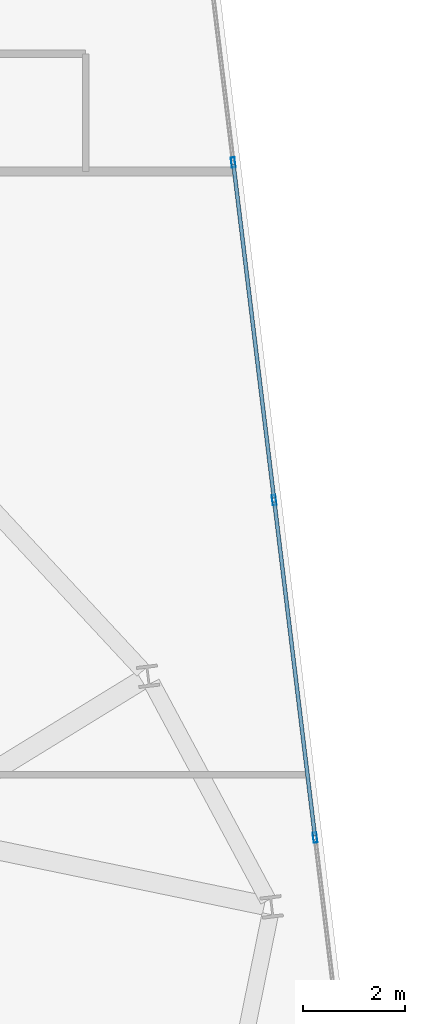
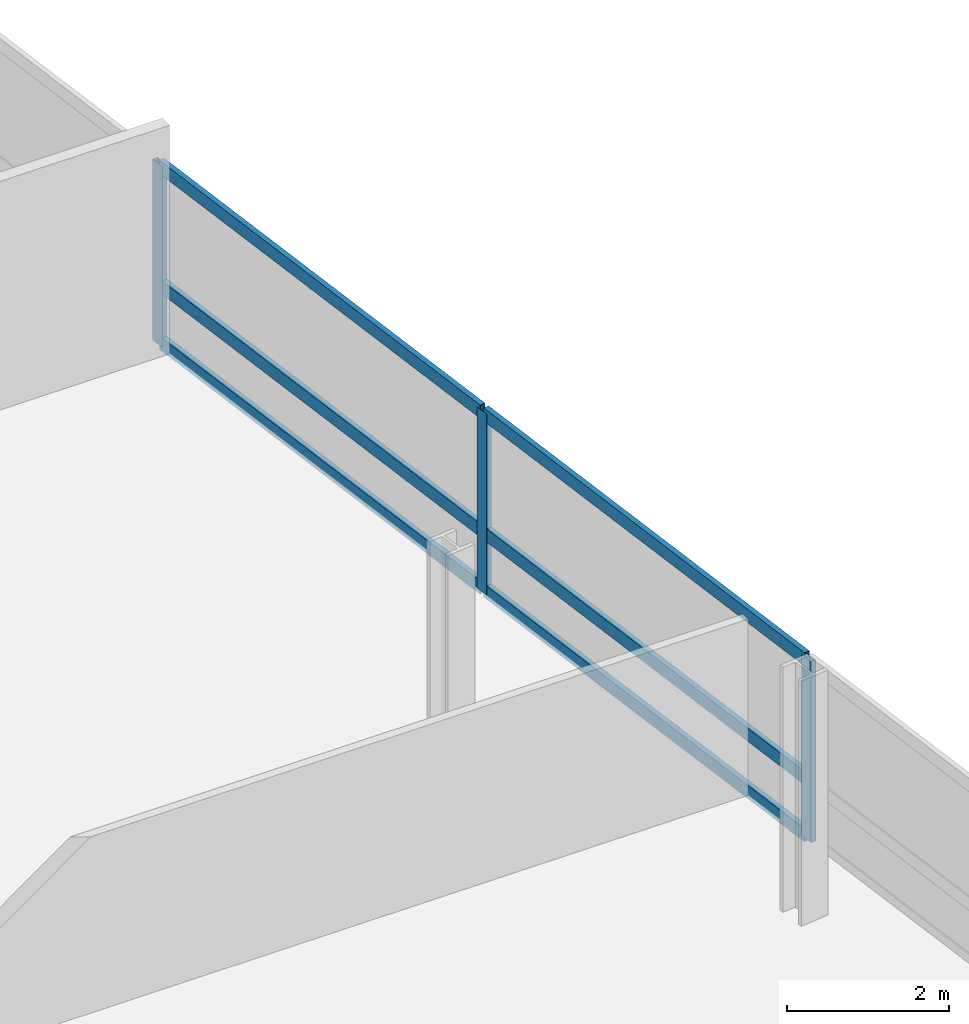
# One storey, part 11 of 23: 9 members, 1 element without a shape of its own.
"""IFC4 building model written with IfcOpenShell, lengths in metres."""

from ifc_helpers import new_model, si_unit, direction, frame, origin, origin_2d, place, context, subcontext, project, spatial, hollow_rectangle, extrude, material, layer, layer_set, material_profile, profile_set, type_object, element, aggregate, save


model = new_model("IFC4")

# Units and contexts
model_context = context("Model", 3, precision=1e-05, world=origin(), true_north=direction((0.0, 1.0)))
body_context = subcontext(model_context, "Body", "Model", "MODEL_VIEW")
ifc_project = project(units=[si_unit("LENGTHUNIT", "METRE"), si_unit("AREAUNIT", "SQUARE_METRE"), si_unit("VOLUMEUNIT", "CUBIC_METRE"), si_unit("PLANEANGLEUNIT", "RADIAN"), si_unit("MASSUNIT", "GRAM", prefix="KILO")], contexts=[model_context])

# Site, building, storey
site_placement = place(None, origin())
site = spatial("IfcSite", under=ifc_project, at=site_placement, CompositionType="ELEMENT")
building_placement = place(site_placement, origin())
building = spatial("IfcBuilding", under=site, at=building_placement, Name="Varnelok Gate Tower", CompositionType="ELEMENT")
storey_placement = place(building_placement, frame((0.0, 0.0, 189.39990234375)))
storey = spatial("IfcBuildingStorey", under=building, at=storey_placement, Name="L48", CompositionType="ELEMENT", Elevation=189.39990234375)

# Curtain wall, members
ifc_material = material(Name="Anodized Aluminum Alloy 6063-T6", Category="aluminium")
ifc_layer = layer(ifc_material, 0.179931640625)
ifc_layer_set = layer_set([ifc_layer], Name="Anodized Aluminum Alloy 6063-T6")
curtain_wall_type = type_object("IfcCurtainWallType", Name="CW4-RESIDENCE-VISION", PredefinedType="USERDEFINED", material=ifc_layer_set)
curtain_wall_placement = place(storey_placement, origin())
curtain_wall = element("IfcCurtainWall", 1, at=curtain_wall_placement, inside=storey, type_object=curtain_wall_type, Name="L48 East End Vision Curtain Wall", ObjectType="UNITISED CURTAIN WALL", PredefinedType="USERDEFINED")
ifc_material_profile_1 = material_profile(ifc_material, hollow_rectangle(XDim=0.074951171875, YDim=0.199951171875, WallThickness=0.00390625, at=origin_2d()), Name="ALU200X75X4")
ifc_profile_set_1 = profile_set([ifc_material_profile_1], Name="Anodized Aluminum Alloy 6063-T6")
member_type_1 = type_object("IfcMemberType", Name="CW-MULL-200", PredefinedType="MULLION", material=ifc_profile_set_1)
member_1_placement = place(storey_placement, frame((72.898681640625, 39.478515625, 0.0), z_axis=(0.0, 0.0, 1.0), x_axis=(0.992732188751, 0.120344511371, 0.0)))
member_1 = element("IfcMember", 2, at=member_1_placement, type_object=member_type_1, Name="CW4 mullion 2", PredefinedType="MULLION", context=body_context, shape_type="SweptSolid", body=[
    extrude(hollow_rectangle(XDim=0.074951171875, YDim=0.199951171875, WallThickness=0.00390625, at=origin_2d()), origin(), (0.0, 0.0, 1.0), 2.72998046875),
])
member_2_placement = place(storey_placement, frame((73.702392578125, 32.846923828125, 0.0), z_axis=(0.0, 0.0, 1.0), x_axis=(0.992732188751, 0.120344511371, 0.0)))
member_2 = element("IfcMember", 3, at=member_2_placement, type_object=member_type_1, Name="CW4 mullion 3", PredefinedType="MULLION", context=body_context, shape_type="SweptSolid", body=[
    extrude(hollow_rectangle(XDim=0.074951171875, YDim=0.199951171875, WallThickness=0.00390625, at=origin_2d()), origin(), (0.0, 0.0, 1.0), 2.72998046875),
])
member_3_placement = place(storey_placement, frame((74.50634765625, 26.215576171875, 0.0), z_axis=(0.0, 0.0, 1.0), x_axis=(0.992732188751, 0.120344511371, 0.0)))
member_3 = element("IfcMember", 4, at=member_3_placement, type_object=member_type_1, Name="CW4 mullion 4", PredefinedType="MULLION", context=body_context, shape_type="SweptSolid", body=[
    extrude(hollow_rectangle(XDim=0.074951171875, YDim=0.199951171875, WallThickness=0.00390625, at=origin_2d()), origin(), (0.0, 0.0, 1.0), 2.72998046875),
])
ifc_material_profile_2 = material_profile(ifc_material, hollow_rectangle(XDim=0.074951171875, YDim=0.199951171875, WallThickness=0.00390625, at=origin_2d()), Name="ALU200X75X4")
ifc_profile_set_2 = profile_set([ifc_material_profile_2], Name="Anodized Aluminum Alloy 6063-T6")
member_type_2 = type_object("IfcMemberType", Name="CW-TRAN-200", PredefinedType="USERDEFINED", material=ifc_profile_set_2)
member_4_placement = place(storey_placement, frame((72.903076171875, 39.441162109375, 0.03759765625), z_axis=(0.120353445289, -0.992731105691, 0.0), x_axis=(0.992731105691, 0.120353445289, 0.0)))
member_4 = element("IfcMember", 5, at=member_4_placement, type_object=member_type_2, Name="CW4 transom 2.1", ObjectType="TRANSOM", PredefinedType="USERDEFINED", context=body_context, shape_type="SweptSolid", body=[
    extrude(hollow_rectangle(XDim=0.074951171875, YDim=0.199951171875, WallThickness=0.00390625, at=origin_2d()), origin(), (0.0, 0.0, 1.0), 6.60498046875),
])
member_5_placement = place(storey_placement, frame((72.903076171875, 39.441162109375, 0.900146484375), z_axis=(0.120353445289, -0.992731105691, 0.0), x_axis=(0.992731105691, 0.120353445289, 0.0)))
member_5 = element("IfcMember", 6, at=member_5_placement, type_object=member_type_2, Name="CW4 transom 2.2", ObjectType="TRANSOM", PredefinedType="USERDEFINED", context=body_context, shape_type="SweptSolid", body=[
    extrude(hollow_rectangle(XDim=0.074951171875, YDim=0.199951171875, WallThickness=0.00390625, at=origin_2d()), origin(), (0.0, 0.0, 1.0), 6.60498046875),
])
member_6_placement = place(storey_placement, frame((72.903076171875, 39.441162109375, 2.692626953125), z_axis=(0.120353445289, -0.992731105691, 0.0), x_axis=(0.992731105691, 0.120353445289, 0.0)))
member_6 = element("IfcMember", 7, at=member_6_placement, type_object=member_type_2, Name="CW4 transom 2.3", ObjectType="TRANSOM", PredefinedType="USERDEFINED", context=body_context, shape_type="SweptSolid", body=[
    extrude(hollow_rectangle(XDim=0.074951171875, YDim=0.199951171875, WallThickness=0.00390625, at=origin_2d()), origin(), (0.0, 0.0, 1.0), 6.60498046875),
])
member_7_placement = place(storey_placement, frame((73.70703125, 32.809814453125, 0.03759765625), z_axis=(0.120349029092, -0.992731641078, 0.0), x_axis=(0.992731641078, 0.120349029092, 0.0)))
member_7 = element("IfcMember", 8, at=member_7_placement, type_object=member_type_2, Name="CW4 transom 3.1", ObjectType="TRANSOM", PredefinedType="USERDEFINED", context=body_context, shape_type="SweptSolid", body=[
    extrude(hollow_rectangle(XDim=0.074951171875, YDim=0.199951171875, WallThickness=0.00390625, at=origin_2d()), origin(), (0.0, 0.0, 1.0), 6.605224609375),
])
member_8_placement = place(storey_placement, frame((73.70703125, 32.809814453125, 0.900146484375), z_axis=(0.120349029092, -0.992731641078, 0.0), x_axis=(0.992731641078, 0.120349029092, 0.0)))
member_8 = element("IfcMember", 9, at=member_8_placement, type_object=member_type_2, Name="CW4 transom 3.2", ObjectType="TRANSOM", PredefinedType="USERDEFINED", context=body_context, shape_type="SweptSolid", body=[
    extrude(hollow_rectangle(XDim=0.074951171875, YDim=0.199951171875, WallThickness=0.00390625, at=origin_2d()), origin(), (0.0, 0.0, 1.0), 6.605224609375),
])
member_9_placement = place(storey_placement, frame((73.70703125, 32.809814453125, 2.692626953125), z_axis=(0.120349029092, -0.992731641078, 0.0), x_axis=(0.992731641078, 0.120349029092, 0.0)))
member_9 = element("IfcMember", 10, at=member_9_placement, type_object=member_type_2, Name="CW4 transom 3.3", ObjectType="TRANSOM", PredefinedType="USERDEFINED", context=body_context, shape_type="SweptSolid", body=[
    extrude(hollow_rectangle(XDim=0.074951171875, YDim=0.199951171875, WallThickness=0.00390625, at=origin_2d()), origin(), (0.0, 0.0, 1.0), 6.605224609375),
])
aggregate(curtain_wall, [member_1, member_2, member_3, member_4, member_5, member_6, member_7, member_8, member_9])

save(model, "model.ifc")
